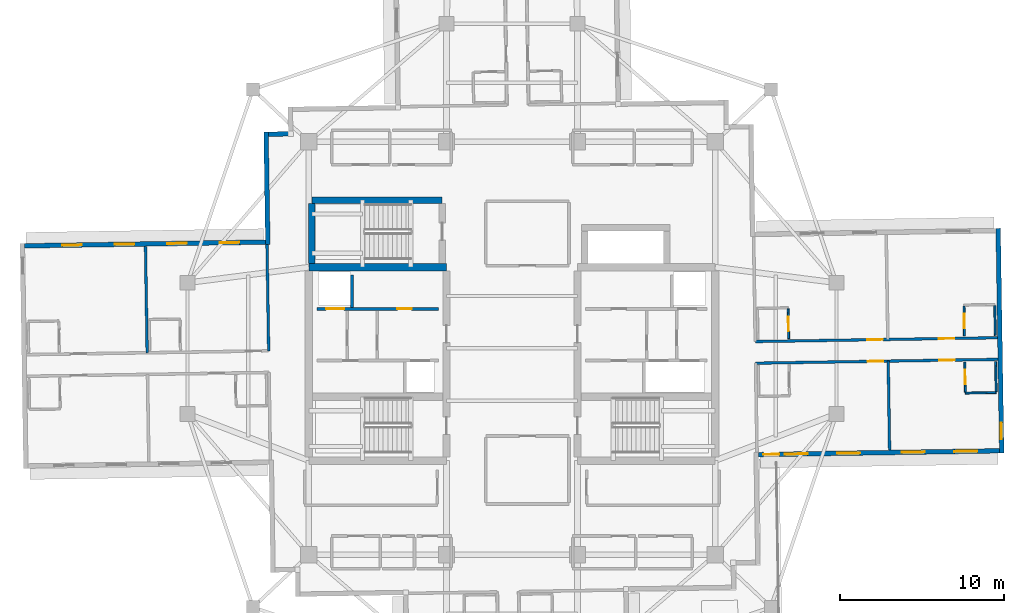
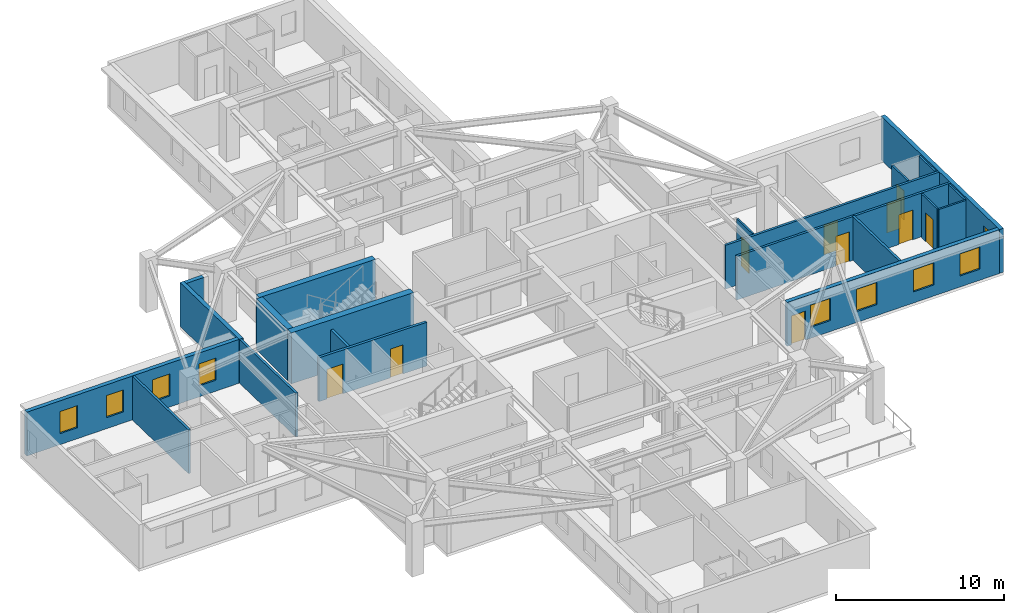
# One storey, part 6 of 13: 21 walls, 10 doors, 9 windows, 19 openings.
"""IFC4 building model written with IfcOpenShell, lengths in metres."""

from ifc_helpers import new_model, si_unit, direction, frame, frame_2d, origin, place, context, subcontext, project, spatial, rectangle, extrude, material, layer, layer_set, type_object, element, fill, save


model = new_model("IFC4")

# Units and contexts
model_context = context("Model", 3, precision=1e-05, world=origin(), true_north=direction((0.0, 1.0)))
body_context = subcontext(model_context, "Body", "Model", "MODEL_VIEW")
ifc_project = project(units=[si_unit("LENGTHUNIT", "METRE"), si_unit("AREAUNIT", "SQUARE_METRE"), si_unit("VOLUMEUNIT", "CUBIC_METRE"), si_unit("PLANEANGLEUNIT", "RADIAN"), si_unit("MASSUNIT", "GRAM", prefix="KILO")], contexts=[model_context])

# Site, building, storey
site_placement = place(None, origin())
site = spatial("IfcSite", under=ifc_project, at=site_placement, CompositionType="ELEMENT")
building_placement = place(site_placement, origin())
building = spatial("IfcBuilding", under=site, at=building_placement, Name="Qingluan Cross Belvedere", CompositionType="ELEMENT")
storey_placement = place(building_placement, frame((0.0, 0.0, 220.800048828125)))
storey = spatial("IfcBuildingStorey", under=building, at=storey_placement, Name="L55", CompositionType="ELEMENT", Elevation=220.800048828125)

# Walls
ifc_material_1 = material(Name="Concrete C50", Category="concrete")
ifc_layer_1 = layer(ifc_material_1, 0.449951171875, Name="CoreShearWall_450")
ifc_layer_set_1 = layer_set([ifc_layer_1], Name="Concrete C50")
wall_type_1 = type_object("IfcWallType", Name="CoreShearWall_450", PredefinedType="SHEAR", material=ifc_layer_set_1)
wall_1_placement = place(storey_placement, frame((-12.39990234375, 4.949951171875, 0.0), z_axis=(0.0, 0.0, 1.0), x_axis=(1.0, 0.0, 0.0)))
element("IfcWall", 1, at=wall_1_placement, inside=storey, type_object=wall_type_1, Name="Split core W shear wall L55-N", PredefinedType="SHEAR", context=body_context, shape_type="SweptSolid", body=[
    extrude(rectangle(XDim=8.39990234375, YDim=0.449951171875, at=frame_2d((4.199951171875, 0.0))), origin(), (0.0, 0.0, 1.0), 3.699951171875),
])
wall_2_placement = place(storey_placement, frame((-12.219970703125, 9.0400390625, 0.0), z_axis=(0.0, 0.0, 1.0), x_axis=(1.0, 0.0, 0.0)))
element("IfcWall", 2, at=wall_2_placement, inside=storey, type_object=wall_type_1, Name="Stair ST3 structural wall N L55", PredefinedType="SHEAR", context=body_context, shape_type="SweptSolid", body=[
    extrude(rectangle(XDim=7.9599609375, YDim=0.39990234375, at=frame_2d((3.97998046875, 0.0))), origin(), (0.0, 0.0, 1.0), 3.699951171875),
])
wall_3_placement = place(storey_placement, frame((-12.219970703125, 5.179931640625, 0.0), z_axis=(0.0, 0.0, 1.0), x_axis=(0.0, 1.0, 0.0)))
element("IfcWall", 3, at=wall_3_placement, inside=storey, type_object=wall_type_1, Name="Stair ST3 structural wall W L55", PredefinedType="SHEAR", context=body_context, shape_type="SweptSolid", body=[
    extrude(rectangle(XDim=3.655029296875, YDim=0.39990234375, at=frame_2d((1.82763671875, 0.0))), origin(), (0.0, 0.0, 1.0), 3.699951171875),
])

# Wall, openings, doors
ifc_material_2 = material(Name="Gypsum plasterboard on steel stud acoustic partition", Category="steel")
ifc_layer_2 = layer(ifc_material_2, 0.159912109375, Name="CorridorPartition_160")
ifc_layer_set_2 = layer_set([ifc_layer_2], Name="Gypsum plasterboard on steel stud acoustic partition")
wall_type_2 = type_object("IfcWallType", Name="CorridorPartition_160", PredefinedType="PARTITIONING", material=ifc_layer_set_2)
wall_4_placement = place(storey_placement, frame((14.84521484375, 0.4130859375, 0.0), z_axis=(0.0, 0.0, 1.0), x_axis=(0.999876382905, 0.015723196507, 0.0)))
wall_4 = element("IfcWall", 4, at=wall_4_placement, inside=storey, type_object=wall_type_2, Name="Partition L55:E:c0", PredefinedType="PARTITIONING", context=body_context, shape_type="SweptSolid", body=[
    extrude(rectangle(XDim=14.781982421875, YDim=0.159912109375, at=frame_2d((7.39111328125, 0.0))), origin(), (0.0, 0.0, 1.0), 3.169921875),
])
opening_1_placement = place(wall_4_placement, frame((6.83203125, 0.0, 0.0)))
opening_1 = element("IfcOpeningElement", 5, at=opening_1_placement, cuts=wall_4, Name="Opening GD-10", PredefinedType="OPENING", context=body_context, shape_type="SweptSolid", body=[
    extrude(rectangle(XDim=0.9599609375, YDim=2.14990234375, at=frame_2d((0.47998046875, 1.074951171875))), frame((0.0, 0.08984375, 0.0), z_axis=(0.0, -1.0, 0.0), x_axis=(1.0, 0.0, 0.0)), (0.0, 0.0, 1.0), 0.179931640625),
])
opening_2_placement = place(wall_4_placement, frame((11.197998046875, 0.0, 0.0)))
opening_2 = element("IfcOpeningElement", 6, at=opening_2_placement, cuts=wall_4, Name="Opening GD-10", PredefinedType="OPENING", context=body_context, shape_type="SweptSolid", body=[
    extrude(rectangle(XDim=0.9599609375, YDim=2.14990234375, at=frame_2d((0.47998046875, 1.074951171875))), frame((0.0, 0.08984375, 0.0), z_axis=(0.0, -1.0, 0.0), x_axis=(1.0, 0.0, 0.0)), (0.0, 0.0, 1.0), 0.179931640625),
])
ifc_material_3 = material(Name="Timber oak fire-rated acoustic guestroom door", Category="wood")
door_type_1 = type_object("IfcDoorType", Name="GuestEntryDoor_FD60", OperationType="NOTDEFINED", PredefinedType="DOOR", material=ifc_material_3)
door_1_placement = place(opening_1_placement, origin())
door_1 = element("IfcDoor", 7, at=door_1_placement, inside=storey, type_object=door_type_1, Name="Guest entry fire door 5501", OperationType="SINGLE_SWING_LEFT", OverallHeight=2.14990234375, OverallWidth=0.9599609375, PredefinedType="DOOR", context=body_context, shape_type="SweptSolid", body=[
    extrude(rectangle(XDim=0.9599609375, YDim=2.14990234375, at=frame_2d((0.47998046875, 1.074951171875))), frame((0.0, 0.02490234375, 0.0), z_axis=(0.0, -1.0, 0.0), x_axis=(1.0, 0.0, 0.0)), (0.0, 0.0, 1.0), 0.050048828125),
])
fill(opening_1, door_1)
door_2_placement = place(opening_2_placement, origin())
door_2 = element("IfcDoor", 8, at=door_2_placement, inside=storey, type_object=door_type_1, Name="Guest entry fire door 5502", OperationType="SINGLE_SWING_LEFT", OverallHeight=2.14990234375, OverallWidth=0.9599609375, PredefinedType="DOOR", context=body_context, shape_type="SweptSolid", body=[
    extrude(rectangle(XDim=0.9599609375, YDim=2.14990234375, at=frame_2d((0.47998046875, 1.074951171875))), frame((0.0, 0.02490234375, 0.0), z_axis=(0.0, -1.0, 0.0), x_axis=(1.0, 0.0, 0.0)), (0.0, 0.0, 1.0), 0.050048828125),
])
fill(opening_2, door_2)

wall_5_placement = place(storey_placement, frame((14.8662109375, -0.906494140625, 0.0), z_axis=(0.0, 0.0, 1.0), x_axis=(0.999876638346, 0.015706944004, 0.0)))
wall_5 = element("IfcWall", 9, at=wall_5_placement, inside=storey, type_object=wall_type_2, Name="Partition L55:E:c1", PredefinedType="PARTITIONING", context=body_context, shape_type="SweptSolid", body=[
    extrude(rectangle(XDim=14.78173828125, YDim=0.159912109375, at=frame_2d((7.390869140625, 0.0))), origin(), (0.0, 0.0, 1.0), 3.169921875),
])
opening_3_placement = place(wall_5_placement, frame((6.83203125, 0.0, 0.0)))
opening_3 = element("IfcOpeningElement", 10, at=opening_3_placement, cuts=wall_5, Name="Opening GD-10", PredefinedType="OPENING", context=body_context, shape_type="SweptSolid", body=[
    extrude(rectangle(XDim=0.9599609375, YDim=2.14990234375, at=frame_2d((0.47998046875, 1.074951171875))), frame((0.0, 0.08984375, 0.0), z_axis=(0.0, -1.0, 0.0), x_axis=(1.0, 0.0, 0.0)), (0.0, 0.0, 1.0), 0.179931640625),
])
opening_4_placement = place(wall_5_placement, frame((11.197998046875, 0.0, 0.0)))
opening_4 = element("IfcOpeningElement", 11, at=opening_4_placement, cuts=wall_5, Name="Opening GD-10", PredefinedType="OPENING", context=body_context, shape_type="SweptSolid", body=[
    extrude(rectangle(XDim=0.9599609375, YDim=2.14990234375, at=frame_2d((0.47998046875, 1.074951171875))), frame((0.0, 0.08984375, 0.0), z_axis=(0.0, -1.0, 0.0), x_axis=(1.0, 0.0, 0.0)), (0.0, 0.0, 1.0), 0.179931640625),
])
door_3_placement = place(opening_3_placement, origin())
door_3 = element("IfcDoor", 12, at=door_3_placement, inside=storey, type_object=door_type_1, Name="Guest entry fire door 5503", OperationType="SINGLE_SWING_LEFT", OverallHeight=2.14990234375, OverallWidth=0.9599609375, PredefinedType="DOOR", context=body_context, shape_type="SweptSolid", body=[
    extrude(rectangle(XDim=0.9599609375, YDim=2.14990234375, at=frame_2d((0.47998046875, 1.074951171875))), frame((0.0, 0.02490234375, 0.0), z_axis=(0.0, -1.0, 0.0), x_axis=(1.0, 0.0, 0.0)), (0.0, 0.0, 1.0), 0.050048828125),
])
fill(opening_3, door_3)
door_4_placement = place(opening_4_placement, origin())
door_4 = element("IfcDoor", 13, at=door_4_placement, inside=storey, type_object=door_type_1, Name="Guest entry fire door 5504", OperationType="SINGLE_SWING_LEFT", OverallHeight=2.14990234375, OverallWidth=0.9599609375, PredefinedType="DOOR", context=body_context, shape_type="SweptSolid", body=[
    extrude(rectangle(XDim=0.9599609375, YDim=2.14990234375, at=frame_2d((0.47998046875, 1.074951171875))), frame((0.0, 0.02490234375, 0.0), z_axis=(0.0, -1.0, 0.0), x_axis=(1.0, 0.0, 0.0)), (0.0, 0.0, 1.0), 0.050048828125),
])
fill(opening_4, door_4)

# Walls
wall_6_placement = place(storey_placement, frame((22.95703125, -0.779541015625, 0.0), z_axis=(0.0, 0.0, 1.0), x_axis=(0.015731218639, -0.999876256724, 0.0)))
element("IfcWall", 14, at=wall_6_placement, inside=storey, type_object=wall_type_2, Name="Partition L55:E:d1_0", PredefinedType="PARTITIONING", context=body_context, shape_type="SweptSolid", body=[
    extrude(rectangle(XDim=5.431884765625, YDim=0.159912109375, at=frame_2d((2.7158203125, 0.0))), origin(), (0.0, 0.0, 1.0), 3.169921875),
])
for number, where, z_axis, x_axis, name in (
    (15, (-14.849365234375, -0.1533203125, 0.0), (0.0, 0.0, 1.0), (-0.015719435564, 0.999876442039, 0.0), "Partition L55:W:s0"),
    (16, (-22.265380859375, -0.269775390625, 0.0), (0.0, 0.0, 1.0), (-0.015719435564, 0.999876442039, 0.0), "Partition L55:W:d0_0"),
):
    element("IfcWall", number, at=place(storey_placement, frame(where, z_axis=z_axis, x_axis=x_axis)), inside=storey, type_object=wall_type_2, Name=name, PredefinedType="PARTITIONING", context=body_context, shape_type="SweptSolid", body=[
        extrude(rectangle(XDim=6.491943359375, YDim=0.159912109375, at=frame_2d((3.24609375, 0.0))), origin(), (0.0, 0.0, 1.0), 3.169921875),
    ])

# Wall, opening, door
ifc_material_4 = material(Name="Moisture-resistant gypsum board lining")
ifc_layer_3 = layer(ifc_material_4, 0.1201171875, Name="EnsuiteWetPartition_120")
ifc_layer_set_3 = layer_set([ifc_layer_3], Name="Moisture-resistant gypsum board lining")
wall_type_3 = type_object("IfcWallType", Name="EnsuiteWetPartition_120", PredefinedType="PARTITIONING", material=ifc_layer_set_3)
wall_7_placement = place(storey_placement, frame((16.8828125, 0.585205078125, 0.0), z_axis=(0.0, 0.0, 1.0), x_axis=(-0.015694337248, 0.999876836305, 0.0)))
wall_7 = element("IfcWall", 17, at=wall_7_placement, inside=storey, type_object=wall_type_3, Name="Partition L55:E:bs0_0", PredefinedType="PARTITIONING", context=body_context, shape_type="SweptSolid", body=[
    extrude(rectangle(XDim=1.820068359375, YDim=0.1201171875, at=frame_2d((0.91015625, 0.0))), origin(), (0.0, 0.0, 1.0), 3.169921875),
])
opening_5_placement = place(wall_7_placement, frame((0.469970703125, 0.0, 0.0)))
opening_5 = element("IfcOpeningElement", 18, at=opening_5_placement, cuts=wall_7, Name="Opening BD-09", PredefinedType="OPENING", context=body_context, shape_type="SweptSolid", body=[
    extrude(rectangle(XDim=0.8798828125, YDim=2.10009765625, at=frame_2d((0.43994140625, 1.050048828125))), frame((0.0, 0.070068359375, 0.0), z_axis=(0.0, -1.0, 0.0), x_axis=(1.0, 0.0, 0.0)), (0.0, 0.0, 1.0), 0.14013671875),
])
ifc_material_5 = material(Name="Moisture-sealed timber en-suite door", Category="wood")
door_type_2 = type_object("IfcDoorType", Name="BathroomDoor_880", OperationType="NOTDEFINED", PredefinedType="DOOR", material=ifc_material_5)
door_5_placement = place(opening_5_placement, origin())
door_5 = element("IfcDoor", 19, at=door_5_placement, inside=storey, type_object=door_type_2, Name="Bathroom door 5501", OperationType="SINGLE_SWING_RIGHT", OverallHeight=2.10009765625, OverallWidth=0.8798828125, PredefinedType="DOOR", context=body_context, shape_type="SweptSolid", body=[
    extrude(rectangle(XDim=0.8798828125, YDim=2.10009765625, at=frame_2d((0.43994140625, 1.050048828125))), frame((0.0, 0.02490234375, 0.0), z_axis=(0.0, -1.0, 0.0), x_axis=(1.0, 0.0, 0.0)), (0.0, 0.0, 1.0), 0.050048828125),
])
fill(opening_5, door_5)

wall_8_placement = place(storey_placement, frame((27.611572265625, 0.75390625, 0.0), z_axis=(0.0, 0.0, 1.0), x_axis=(-0.015696442504, 0.999876803258, 0.0)))
wall_8 = element("IfcWall", 20, at=wall_8_placement, inside=storey, type_object=wall_type_3, Name="Partition L55:E:bs0_1", PredefinedType="PARTITIONING", context=body_context, shape_type="SweptSolid", body=[
    extrude(rectangle(XDim=1.81982421875, YDim=0.1201171875, at=frame_2d((0.909912109375, 0.0))), origin(), (0.0, 0.0, 1.0), 3.169921875),
])
opening_6_placement = place(wall_8_placement, frame((0.469970703125, 0.0, 0.0)))
opening_6 = element("IfcOpeningElement", 21, at=opening_6_placement, cuts=wall_8, Name="Opening BD-09", PredefinedType="OPENING", context=body_context, shape_type="SweptSolid", body=[
    extrude(rectangle(XDim=0.8798828125, YDim=2.10009765625, at=frame_2d((0.43994140625, 1.050048828125))), frame((0.0, 0.070068359375, 0.0), z_axis=(0.0, -1.0, 0.0), x_axis=(1.0, 0.0, 0.0)), (0.0, 0.0, 1.0), 0.14013671875),
])
door_6_placement = place(opening_6_placement, origin())
door_6 = element("IfcDoor", 22, at=door_6_placement, inside=storey, type_object=door_type_2, Name="Bathroom door 5502", OperationType="SINGLE_SWING_RIGHT", OverallHeight=2.10009765625, OverallWidth=0.8798828125, PredefinedType="DOOR", context=body_context, shape_type="SweptSolid", body=[
    extrude(rectangle(XDim=0.8798828125, YDim=2.10009765625, at=frame_2d((0.43994140625, 1.050048828125))), frame((0.0, 0.02490234375, 0.0), z_axis=(0.0, -1.0, 0.0), x_axis=(1.0, 0.0, 0.0)), (0.0, 0.0, 1.0), 0.050048828125),
])
fill(opening_6, door_6)

# Wall
wall_9_placement = place(storey_placement, frame((29.4912109375, 0.783203125, 0.0), z_axis=(0.0, 0.0, 1.0), x_axis=(-0.015694337248, 0.999876836305, 0.0)))
element("IfcWall", 23, at=wall_9_placement, inside=storey, type_object=wall_type_3, Name="Partition L55:E:bw0_1", PredefinedType="PARTITIONING", context=body_context, shape_type="SweptSolid", body=[
    extrude(rectangle(XDim=1.820068359375, YDim=0.1201171875, at=frame_2d((0.91015625, 0.0))), origin(), (0.0, 0.0, 1.0), 3.169921875),
])

# Wall, opening, door
wall_10_placement = place(storey_placement, frame((27.665283203125, -2.665771484375, 0.0), z_axis=(0.0, 0.0, 1.0), x_axis=(-0.015694337248, 0.999876836305, 0.0)))
wall_10 = element("IfcWall", 24, at=wall_10_placement, inside=storey, type_object=wall_type_3, Name="Partition L55:E:bs1_1", PredefinedType="PARTITIONING", context=body_context, shape_type="SweptSolid", body=[
    extrude(rectangle(XDim=1.820068359375, YDim=0.1201171875, at=frame_2d((0.91015625, 0.0))), origin(), (0.0, 0.0, 1.0), 3.169921875),
])
opening_7_placement = place(wall_10_placement, frame((0.469970703125, 0.0, 0.0)))
opening_7 = element("IfcOpeningElement", 25, at=opening_7_placement, cuts=wall_10, Name="Opening BD-09", PredefinedType="OPENING", context=body_context, shape_type="SweptSolid", body=[
    extrude(rectangle(XDim=0.8798828125, YDim=2.10009765625, at=frame_2d((0.43994140625, 1.050048828125))), frame((0.0, 0.070068359375, 0.0), z_axis=(0.0, -1.0, 0.0), x_axis=(1.0, 0.0, 0.0)), (0.0, 0.0, 1.0), 0.14013671875),
])
door_7_placement = place(opening_7_placement, origin())
door_7 = element("IfcDoor", 26, at=door_7_placement, inside=storey, type_object=door_type_2, Name="Bathroom door 5504", OperationType="SINGLE_SWING_RIGHT", OverallHeight=2.10009765625, OverallWidth=0.8798828125, PredefinedType="DOOR", context=body_context, shape_type="SweptSolid", body=[
    extrude(rectangle(XDim=0.8798828125, YDim=2.10009765625, at=frame_2d((0.43994140625, 1.050048828125))), frame((0.0, 0.02490234375, 0.0), z_axis=(0.0, -1.0, 0.0), x_axis=(1.0, 0.0, 0.0)), (0.0, 0.0, 1.0), 0.050048828125),
])
fill(opening_7, door_7)

# Walls
wall_11_placement = place(storey_placement, frame((29.545166015625, -2.63623046875, 0.0), z_axis=(0.0, 0.0, 1.0), x_axis=(-0.015694337248, 0.999876836305, 0.0)))
element("IfcWall", 27, at=wall_11_placement, inside=storey, type_object=wall_type_3, Name="Partition L55:E:bw1_1", PredefinedType="PARTITIONING", context=body_context, shape_type="SweptSolid", body=[
    extrude(rectangle(XDim=1.820068359375, YDim=0.1201171875, at=frame_2d((0.91015625, 0.0))), origin(), (0.0, 0.0, 1.0), 3.169921875),
])
wall_12_placement = place(storey_placement, frame((27.666259765625, -2.730712890625, 0.0), z_axis=(0.0, 0.0, 1.0), x_axis=(0.999876553475, 0.01571234584, 0.0)))
element("IfcWall", 28, at=wall_12_placement, inside=storey, type_object=wall_type_3, Name="Partition L55:E:bc1_1", PredefinedType="PARTITIONING", context=body_context, shape_type="SweptSolid", body=[
    extrude(rectangle(XDim=1.880126953125, YDim=0.1201171875, at=frame_2d((0.93994140625, 0.0))), origin(), (0.0, 0.0, 1.0), 3.169921875),
])

# Wall, openings, windows, door
ifc_material_6 = material(Name="Precast concrete C45", Category="concrete")
ifc_layer_4 = layer(ifc_material_6, 0.280029296875, Name="PrecastFacadeWall_280")
ifc_layer_set_4 = layer_set([ifc_layer_4], Name="Precast concrete C45")
wall_type_4 = type_object("IfcWallType", Name="PrecastFacadeWall_280", PredefinedType="STANDARD", material=ifc_layer_set_4)
wall_13_placement = place(storey_placement, frame((15.043701171875, -6.484619140625, 0.0), z_axis=(0.0, 0.0, 1.0), x_axis=(0.999876569875, 0.015711302158, 0.0)))
wall_13 = element("IfcWall", 29, at=wall_13_placement, inside=storey, type_object=wall_type_4, Name="Facade wall L55-EA", PredefinedType="STANDARD", context=body_context, shape_type="SweptSolid", body=[
    extrude(rectangle(XDim=14.699951171875, YDim=0.280029296875, at=frame_2d((7.35009765625, 0.0))), origin(), (0.0, 0.0, 1.0), 3.179931640625),
])
opening_8_placement = place(wall_13_placement, frame((1.60009765625, 0.0, 0.800048828125)))
opening_8 = element("IfcOpeningElement", 30, at=opening_8_placement, cuts=wall_13, Name="Opening W-01", PredefinedType="OPENING", context=body_context, shape_type="SweptSolid", body=[
    extrude(rectangle(XDim=1.39990234375, YDim=1.60009765625, at=frame_2d((0.699951171875, 0.800048828125))), frame((0.0, 0.14990234375, 0.0), z_axis=(0.0, -1.0, 0.0), x_axis=(1.0, 0.0, 0.0)), (0.0, 0.0, 1.0), 0.300048828125),
])
opening_9_placement = place(wall_13_placement, frame((4.800048828125, 0.0, 0.800048828125)))
opening_9 = element("IfcOpeningElement", 31, at=opening_9_placement, cuts=wall_13, Name="Opening W-01", PredefinedType="OPENING", context=body_context, shape_type="SweptSolid", body=[
    extrude(rectangle(XDim=1.39990234375, YDim=1.60009765625, at=frame_2d((0.699951171875, 0.800048828125))), frame((0.0, 0.14990234375, 0.0), z_axis=(0.0, -1.0, 0.0), x_axis=(1.0, 0.0, 0.0)), (0.0, 0.0, 1.0), 0.300048828125),
])
opening_10_placement = place(wall_13_placement, frame((8.75, 0.0, 0.800048828125)))
opening_10 = element("IfcOpeningElement", 32, at=opening_10_placement, cuts=wall_13, Name="Opening W-01", PredefinedType="OPENING", context=body_context, shape_type="SweptSolid", body=[
    extrude(rectangle(XDim=1.39990234375, YDim=1.60009765625, at=frame_2d((0.699951171875, 0.800048828125))), frame((0.0, 0.14990234375, 0.0), z_axis=(0.0, -1.0, 0.0), x_axis=(1.0, 0.0, 0.0)), (0.0, 0.0, 1.0), 0.300048828125),
])
opening_11_placement = place(wall_13_placement, frame((11.949951171875, 0.0, 0.800048828125)))
opening_11 = element("IfcOpeningElement", 33, at=opening_11_placement, cuts=wall_13, Name="Opening W-01", PredefinedType="OPENING", context=body_context, shape_type="SweptSolid", body=[
    extrude(rectangle(XDim=1.39990234375, YDim=1.60009765625, at=frame_2d((0.699951171875, 0.800048828125))), frame((0.0, 0.14990234375, 0.0), z_axis=(0.0, -1.0, 0.0), x_axis=(1.0, 0.0, 0.0)), (0.0, 0.0, 1.0), 0.300048828125),
])
opening_12_placement = place(wall_13_placement, frame((0.300048828125, 0.0, 0.0)))
opening_12 = element("IfcOpeningElement", 34, at=opening_12_placement, cuts=wall_13, Name="Opening WD-10", PredefinedType="OPENING", context=body_context, shape_type="SweptSolid", body=[
    extrude(rectangle(XDim=0.9599609375, YDim=2.10009765625, at=frame_2d((0.47998046875, 1.050048828125))), frame((0.0, 0.14990234375, 0.0), z_axis=(0.0, -1.0, 0.0), x_axis=(1.0, 0.0, 0.0)), (0.0, 0.0, 1.0), 0.300048828125),
])
ifc_material_7 = material(Name="Thermally broken triple Low-E glass in aluminium frame", Category="aluminium")
window_type_1 = type_object("IfcWindowType", Name="TriRibbonWin_1400x1600", PartitioningType="SINGLE_PANEL", PredefinedType="WINDOW", material=ifc_material_7)
window_1_placement = place(opening_8_placement, origin())
window_1 = element("IfcWindow", 35, at=window_1_placement, inside=storey, type_object=window_type_1, Name="Ribbon window L55-EA-1", OverallHeight=1.60009765625, OverallWidth=1.39990234375, PartitioningType="SINGLE_PANEL", PredefinedType="WINDOW", context=body_context, shape_type="SweptSolid", body=[
    extrude(rectangle(XDim=1.39990234375, YDim=1.60009765625, at=frame_2d((0.699951171875, 0.800048828125))), frame((0.0, 0.030029296875, 0.0), z_axis=(0.0, -1.0, 0.0), x_axis=(1.0, 0.0, 0.0)), (0.0, 0.0, 1.0), 0.06005859375),
])
fill(opening_8, window_1)
window_2_placement = place(opening_9_placement, origin())
window_2 = element("IfcWindow", 36, at=window_2_placement, inside=storey, type_object=window_type_1, Name="Ribbon window L55-EA-2", OverallHeight=1.60009765625, OverallWidth=1.39990234375, PartitioningType="SINGLE_PANEL", PredefinedType="WINDOW", context=body_context, shape_type="SweptSolid", body=[
    extrude(rectangle(XDim=1.39990234375, YDim=1.60009765625, at=frame_2d((0.699951171875, 0.800048828125))), frame((0.0, 0.030029296875, 0.0), z_axis=(0.0, -1.0, 0.0), x_axis=(1.0, 0.0, 0.0)), (0.0, 0.0, 1.0), 0.06005859375),
])
fill(opening_9, window_2)
window_3_placement = place(opening_10_placement, origin())
window_3 = element("IfcWindow", 37, at=window_3_placement, inside=storey, type_object=window_type_1, Name="Ribbon window L55-EA-3", OverallHeight=1.60009765625, OverallWidth=1.39990234375, PartitioningType="SINGLE_PANEL", PredefinedType="WINDOW", context=body_context, shape_type="SweptSolid", body=[
    extrude(rectangle(XDim=1.39990234375, YDim=1.60009765625, at=frame_2d((0.699951171875, 0.800048828125))), frame((0.0, 0.030029296875, 0.0), z_axis=(0.0, -1.0, 0.0), x_axis=(1.0, 0.0, 0.0)), (0.0, 0.0, 1.0), 0.06005859375),
])
fill(opening_10, window_3)
window_4_placement = place(opening_11_placement, origin())
window_4 = element("IfcWindow", 38, at=window_4_placement, inside=storey, type_object=window_type_1, Name="Ribbon window L55-EA-4", OverallHeight=1.60009765625, OverallWidth=1.39990234375, PartitioningType="SINGLE_PANEL", PredefinedType="WINDOW", context=body_context, shape_type="SweptSolid", body=[
    extrude(rectangle(XDim=1.39990234375, YDim=1.60009765625, at=frame_2d((0.699951171875, 0.800048828125))), frame((0.0, 0.030029296875, 0.0), z_axis=(0.0, -1.0, 0.0), x_axis=(1.0, 0.0, 0.0)), (0.0, 0.0, 1.0), 0.06005859375),
])
fill(opening_11, window_4)
ifc_material_8 = material(Name="Thermally broken aluminium and Low-E glass", Category="aluminium")
door_type_3 = type_object("IfcDoorType", Name="WinterGardenDoor_096", OperationType="NOTDEFINED", PredefinedType="DOOR", material=ifc_material_8)
door_8_placement = place(opening_12_placement, origin())
door_8 = element("IfcDoor", 39, at=door_8_placement, inside=storey, type_object=door_type_3, Name="Outdoor terrace access door L55-spi", OperationType="SINGLE_SWING_LEFT", OverallHeight=2.10009765625, OverallWidth=0.9599609375, PredefinedType="DOOR", context=body_context, shape_type="SweptSolid", body=[
    extrude(rectangle(XDim=0.9599609375, YDim=2.10009765625, at=frame_2d((0.47998046875, 1.050048828125))), frame((0.0, 0.02490234375, 0.0), z_axis=(0.0, -1.0, 0.0), x_axis=(1.0, 0.0, 0.0)), (0.0, 0.0, 1.0), 0.050048828125),
])
fill(opening_12, door_8)

# Wall, opening, window
wall_14_placement = place(storey_placement, frame((29.884033203125, -6.391357421875, 0.0), z_axis=(0.0, 0.0, 1.0), x_axis=(-0.015694809807, 0.999876828887, 0.0)))
wall_14 = element("IfcWall", 40, at=wall_14_placement, inside=storey, type_object=wall_type_4, Name="Arm tip precast facade wall L55-E", PredefinedType="STANDARD", context=body_context, shape_type="SweptSolid", body=[
    extrude(rectangle(XDim=13.719970703125, YDim=0.280029296875, at=frame_2d((6.85986328125, 0.0))), origin(), (0.0, 0.0, 1.0), 3.179931640625),
])
opening_13_placement = place(wall_14_placement, frame((0.85009765625, 0.0, 0.85009765625)))
opening_13 = element("IfcOpeningElement", 41, at=opening_13_placement, cuts=wall_14, Name="Opening W-03", PredefinedType="OPENING", context=body_context, shape_type="SweptSolid", body=[
    extrude(rectangle(XDim=1.0, YDim=1.5, at=frame_2d((0.5, 0.75))), frame((0.0, 0.14990234375, 0.0), z_axis=(0.0, -1.0, 0.0), x_axis=(1.0, 0.0, 0.0)), (0.0, 0.0, 1.0), 0.300048828125),
])
ifc_material_9 = material(Name="Thermally broken triple Low-E glass in aluminium frame", Category="aluminium")
window_type_2 = type_object("IfcWindowType", Name="TriApexWin_1000x1500", PartitioningType="SINGLE_PANEL", PredefinedType="WINDOW", material=ifc_material_9)
window_5_placement = place(opening_13_placement, origin())
window_5 = element("IfcWindow", 42, at=window_5_placement, inside=storey, type_object=window_type_2, Name="Arm tip triangular window L55-E", OverallHeight=1.5, OverallWidth=1.0, PartitioningType="SINGLE_PANEL", PredefinedType="WINDOW", context=body_context, shape_type="SweptSolid", body=[
    extrude(rectangle(XDim=1.0, YDim=1.5, at=frame_2d((0.5, 0.75))), frame((0.0, 0.030029296875, 0.0), z_axis=(0.0, -1.0, 0.0), x_axis=(1.0, 0.0, 0.0)), (0.0, 0.0, 1.0), 0.06005859375),
])
fill(opening_13, window_5)

# Wall, openings, windows
wall_15_placement = place(storey_placement, frame((-15.043701171875, 6.484619140625, 0.0), z_axis=(0.0, 0.0, 1.0), x_axis=(-0.999876569875, -0.015711302158, 0.0)))
wall_15 = element("IfcWall", 43, at=wall_15_placement, inside=storey, type_object=wall_type_4, Name="Facade wall L55-WA", PredefinedType="STANDARD", context=body_context, shape_type="SweptSolid", body=[
    extrude(rectangle(XDim=14.699951171875, YDim=0.280029296875, at=frame_2d((7.35009765625, 0.0))), origin(), (0.0, 0.0, 1.0), 3.179931640625),
])
opening_14_placement = place(wall_15_placement, frame((1.60009765625, 0.0, 0.800048828125)))
opening_14 = element("IfcOpeningElement", 44, at=opening_14_placement, cuts=wall_15, Name="Opening W-02", PredefinedType="OPENING", context=body_context, shape_type="SweptSolid", body=[
    extrude(rectangle(XDim=1.199951171875, YDim=1.60009765625, at=frame_2d((0.60009765625, 0.800048828125))), frame((0.0, 0.14990234375, 0.0), z_axis=(0.0, -1.0, 0.0), x_axis=(1.0, 0.0, 0.0)), (0.0, 0.0, 1.0), 0.300048828125),
])
opening_15_placement = place(wall_15_placement, frame((4.800048828125, 0.0, 0.800048828125)))
opening_15 = element("IfcOpeningElement", 45, at=opening_15_placement, cuts=wall_15, Name="Opening W-02", PredefinedType="OPENING", context=body_context, shape_type="SweptSolid", body=[
    extrude(rectangle(XDim=1.199951171875, YDim=1.60009765625, at=frame_2d((0.60009765625, 0.800048828125))), frame((0.0, 0.14990234375, 0.0), z_axis=(0.0, -1.0, 0.0), x_axis=(1.0, 0.0, 0.0)), (0.0, 0.0, 1.0), 0.300048828125),
])
opening_16_placement = place(wall_15_placement, frame((8.0, 0.0, 0.800048828125)))
opening_16 = element("IfcOpeningElement", 46, at=opening_16_placement, cuts=wall_15, Name="Opening W-02", PredefinedType="OPENING", context=body_context, shape_type="SweptSolid", body=[
    extrude(rectangle(XDim=1.199951171875, YDim=1.60009765625, at=frame_2d((0.60009765625, 0.800048828125))), frame((0.0, 0.14990234375, 0.0), z_axis=(0.0, -1.0, 0.0), x_axis=(1.0, 0.0, 0.0)), (0.0, 0.0, 1.0), 0.300048828125),
])
opening_17_placement = place(wall_15_placement, frame((11.199951171875, 0.0, 0.800048828125)))
opening_17 = element("IfcOpeningElement", 47, at=opening_17_placement, cuts=wall_15, Name="Opening W-02", PredefinedType="OPENING", context=body_context, shape_type="SweptSolid", body=[
    extrude(rectangle(XDim=1.199951171875, YDim=1.60009765625, at=frame_2d((0.60009765625, 0.800048828125))), frame((0.0, 0.14990234375, 0.0), z_axis=(0.0, -1.0, 0.0), x_axis=(1.0, 0.0, 0.0)), (0.0, 0.0, 1.0), 0.300048828125),
])
ifc_material_10 = material(Name="Thermally broken triple Low-E glass in aluminium frame", Category="aluminium")
window_type_3 = type_object("IfcWindowType", Name="TriRibbonWin_1200x1600", PartitioningType="SINGLE_PANEL", PredefinedType="WINDOW", material=ifc_material_10)
window_6_placement = place(opening_14_placement, origin())
window_6 = element("IfcWindow", 48, at=window_6_placement, inside=storey, type_object=window_type_3, Name="Ribbon window L55-WA-1", OverallHeight=1.60009765625, OverallWidth=1.199951171875, PartitioningType="SINGLE_PANEL", PredefinedType="WINDOW", context=body_context, shape_type="SweptSolid", body=[
    extrude(rectangle(XDim=1.199951171875, YDim=1.60009765625, at=frame_2d((0.60009765625, 0.800048828125))), frame((0.0, 0.030029296875, 0.0), z_axis=(0.0, -1.0, 0.0), x_axis=(1.0, 0.0, 0.0)), (0.0, 0.0, 1.0), 0.06005859375),
])
fill(opening_14, window_6)
window_7_placement = place(opening_15_placement, origin())
window_7 = element("IfcWindow", 49, at=window_7_placement, inside=storey, type_object=window_type_3, Name="Ribbon window L55-WA-2", OverallHeight=1.60009765625, OverallWidth=1.199951171875, PartitioningType="SINGLE_PANEL", PredefinedType="WINDOW", context=body_context, shape_type="SweptSolid", body=[
    extrude(rectangle(XDim=1.199951171875, YDim=1.60009765625, at=frame_2d((0.60009765625, 0.800048828125))), frame((0.0, 0.030029296875, 0.0), z_axis=(0.0, -1.0, 0.0), x_axis=(1.0, 0.0, 0.0)), (0.0, 0.0, 1.0), 0.06005859375),
])
fill(opening_15, window_7)
window_8_placement = place(opening_16_placement, origin())
window_8 = element("IfcWindow", 50, at=window_8_placement, inside=storey, type_object=window_type_3, Name="Ribbon window L55-WA-3", OverallHeight=1.60009765625, OverallWidth=1.199951171875, PartitioningType="SINGLE_PANEL", PredefinedType="WINDOW", context=body_context, shape_type="SweptSolid", body=[
    extrude(rectangle(XDim=1.199951171875, YDim=1.60009765625, at=frame_2d((0.60009765625, 0.800048828125))), frame((0.0, 0.030029296875, 0.0), z_axis=(0.0, -1.0, 0.0), x_axis=(1.0, 0.0, 0.0)), (0.0, 0.0, 1.0), 0.06005859375),
])
fill(opening_16, window_8)
window_9_placement = place(opening_17_placement, origin())
window_9 = element("IfcWindow", 51, at=window_9_placement, inside=storey, type_object=window_type_3, Name="Ribbon window L55-WA-4", OverallHeight=1.60009765625, OverallWidth=1.199951171875, PartitioningType="SINGLE_PANEL", PredefinedType="WINDOW", context=body_context, shape_type="SweptSolid", body=[
    extrude(rectangle(XDim=1.199951171875, YDim=1.60009765625, at=frame_2d((0.60009765625, 0.800048828125))), frame((0.0, 0.030029296875, 0.0), z_axis=(0.0, -1.0, 0.0), x_axis=(1.0, 0.0, 0.0)), (0.0, 0.0, 1.0), 0.06005859375),
])
fill(opening_17, window_9)

# Walls
wall_16_placement = place(storey_placement, frame((-14.901611328125, 6.3466796875, 0.0), z_axis=(0.0, 0.0, 1.0), x_axis=(-0.015694809807, 0.999876828887, 0.0)))
element("IfcWall", 52, at=wall_16_placement, inside=storey, type_object=wall_type_4, Name="Corner wall L55-NW1", PredefinedType="STANDARD", context=body_context, shape_type="SweptSolid", body=[
    extrude(rectangle(XDim=6.85986328125, YDim=0.280029296875, at=frame_2d((3.429931640625, 0.0))), origin(), (0.0, 0.0, 1.0), 3.179931640625),
])
wall_17_placement = place(storey_placement, frame((-14.8671875, 13.068115234375, 0.0), z_axis=(0.0, 0.0, 1.0), x_axis=(0.999875053502, 0.015807510352, 0.0)))
element("IfcWall", 53, at=wall_17_placement, inside=storey, type_object=wall_type_4, Name="Corner wall L55-NW2", PredefinedType="STANDARD", context=body_context, shape_type="SweptSolid", body=[
    extrude(rectangle(XDim=1.22021484375, YDim=0.280029296875, at=frame_2d((0.610107421875, 0.0))), origin(), (0.0, 0.0, 1.0), 3.179931640625),
])

# Wall, openings, doors
ifc_material_11 = material(Name="Concrete C40", Category="concrete")
ifc_layer_5 = layer(ifc_material_11, 0.219970703125, Name="ShaftEnclosureWall_250")
ifc_layer_set_5 = layer_set([ifc_layer_5], Name="Concrete C40")
wall_type_5 = type_object("IfcWallType", Name="ShaftEnclosureWall_250", PredefinedType="SOLIDWALL", material=ifc_layer_set_5)
wall_18_placement = place(storey_placement, frame((-11.89990234375, 2.409912109375, 0.0), z_axis=(0.0, 0.0, 1.0), x_axis=(1.0, 0.0, 0.0)))
wall_18 = element("IfcWall", 54, at=wall_18_placement, inside=storey, type_object=wall_type_5, Name="Core-W north hoistway wall L55", PredefinedType="SOLIDWALL", context=body_context, shape_type="SweptSolid", body=[
    extrude(rectangle(XDim=7.419921875, YDim=0.179931640625, at=frame_2d((3.7099609375, 0.0))), origin(), (0.0, 0.0, 1.0), 3.169921875),
])
opening_18_placement = place(wall_18_placement, frame((0.550048828125, 0.0, 0.0)))
opening_18 = element("IfcOpeningElement", 55, at=opening_18_placement, cuts=wall_18, Name="Opening LD-11", PredefinedType="OPENING", context=body_context, shape_type="SweptSolid", body=[
    extrude(rectangle(XDim=1.10009765625, YDim=2.14990234375, at=frame_2d((0.550048828125, 1.074951171875))), frame((0.0, 0.099853515625, 0.0), z_axis=(0.0, -1.0, 0.0), x_axis=(1.0, 0.0, 0.0)), (0.0, 0.0, 1.0), 0.199951171875),
])
opening_19_placement = place(wall_18_placement, frame((4.89990234375, 0.0, 0.0)))
opening_19 = element("IfcOpeningElement", 56, at=opening_19_placement, cuts=wall_18, Name="Opening FD-B10", PredefinedType="OPENING", context=body_context, shape_type="SweptSolid", body=[
    extrude(rectangle(XDim=0.8798828125, YDim=2.10009765625, at=frame_2d((0.43994140625, 1.050048828125))), frame((0.0, 0.099853515625, 0.0), z_axis=(0.0, -1.0, 0.0), x_axis=(1.0, 0.0, 0.0)), (0.0, 0.0, 1.0), 0.199951171875),
])
ifc_material_12 = material(Name="Brushed stainless steel centre-opening lift landing door", Category="steel")
door_type_4 = type_object("IfcDoorType", Name="LiftLandingSlidingDoor_1100", OperationType="DOUBLE_DOOR_SLIDING", PredefinedType="DOOR", material=ifc_material_12)
door_9_placement = place(opening_18_placement, origin())
door_9 = element("IfcDoor", 57, at=door_9_placement, inside=storey, type_object=door_type_4, Name="Lift landing sliding door FL1 L55", OperationType="DOUBLE_DOOR_SLIDING", OverallHeight=2.14990234375, OverallWidth=1.10009765625, PredefinedType="DOOR", context=body_context, shape_type="SweptSolid", body=[
    extrude(rectangle(XDim=1.10009765625, YDim=2.14990234375, at=frame_2d((0.550048828125, 1.074951171875))), frame((0.0, 0.02490234375, 0.0), z_axis=(0.0, -1.0, 0.0), x_axis=(1.0, 0.0, 0.0)), (0.0, 0.0, 1.0), 0.050048828125),
])
fill(opening_18, door_9)
ifc_material_13 = material(Name="Steel Class B service fire door", Category="steel")
door_type_5 = type_object("IfcDoorType", Name="RiserServiceFireDoor_FDB", OperationType="NOTDEFINED", PredefinedType="DOOR", material=ifc_material_13)
door_10_placement = place(opening_19_placement, origin())
door_10 = element("IfcDoor", 58, at=door_10_placement, inside=storey, type_object=door_type_5, Name="Housekeeping supply room door W L55", OperationType="SINGLE_SWING_RIGHT", OverallHeight=2.10009765625, OverallWidth=0.8798828125, PredefinedType="DOOR", context=body_context, shape_type="SweptSolid", body=[
    extrude(rectangle(XDim=0.8798828125, YDim=2.10009765625, at=frame_2d((0.43994140625, 1.050048828125))), frame((0.0, 0.02490234375, 0.0), z_axis=(0.0, -1.0, 0.0), x_axis=(1.0, 0.0, 0.0)), (0.0, 0.0, 1.0), 0.050048828125),
])
fill(opening_19, door_10)

# Wall
wall_19_placement = place(storey_placement, frame((-9.760009765625, 2.5, 0.0), z_axis=(0.0, 0.0, 1.0), x_axis=(0.0, 1.0, 0.0)))
element("IfcWall", 59, at=wall_19_placement, inside=storey, type_object=wall_type_5, Name="Hoistway enclosure divider FL1E L55", PredefinedType="SOLIDWALL", context=body_context, shape_type="SweptSolid", body=[
    extrude(rectangle(XDim=1.989990234375, YDim=0.179931640625, at=frame_2d((0.9951171875, 0.0))), origin(), (0.0, 0.0, 1.0), 3.169921875),
])

save(model, "model.ifc")
